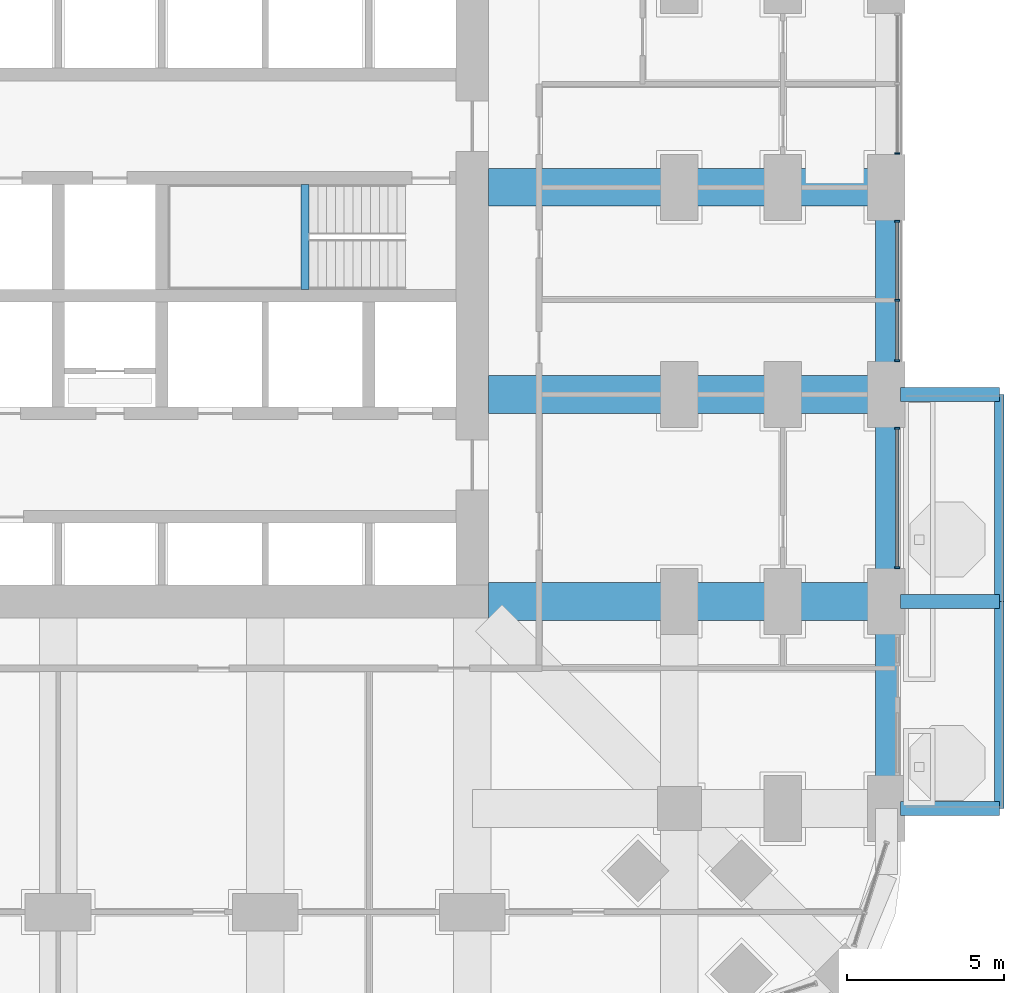
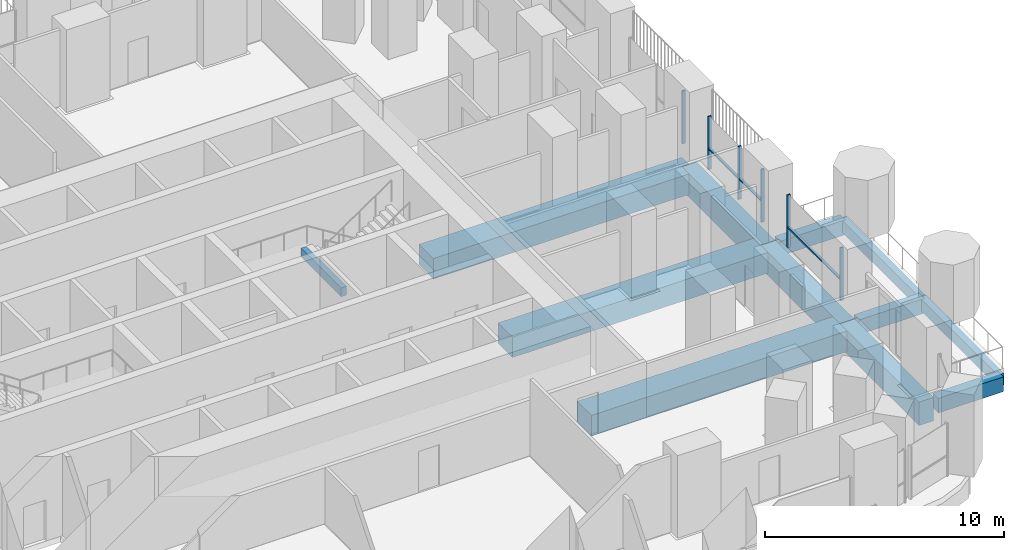
# One storey, part 6 of 27: 12 beams, 9 members, 3 elements without a shape of their own.
"""IFC4 building model written with IfcOpenShell, lengths in metres."""

from ifc_helpers import new_model, si_unit, direction, frame, origin, origin_2d, place, context, subcontext, project, spatial, rectangle, extrude, material, material_profile, profile_set, type_object, element, aggregate, save


model = new_model("IFC4")

# Units and contexts
model_context = context("Model", 3, precision=1e-05, world=origin(), true_north=direction((0.0, 1.0)))
body_context = subcontext(model_context, "Body", "Model", "MODEL_VIEW")
ifc_project = project(units=[si_unit("LENGTHUNIT", "METRE"), si_unit("AREAUNIT", "SQUARE_METRE"), si_unit("VOLUMEUNIT", "CUBIC_METRE"), si_unit("PLANEANGLEUNIT", "RADIAN"), si_unit("MASSUNIT", "GRAM", prefix="KILO")], contexts=[model_context])

# Site, building, storey
site_placement = place(None, origin())
site = spatial("IfcSite", under=ifc_project, at=site_placement, CompositionType="ELEMENT")
building_placement = place(site_placement, origin())
building = spatial("IfcBuilding", under=site, at=building_placement, Name="Cobogo Forest Laboratory Tower", CompositionType="ELEMENT")
storey_placement = place(building_placement, frame((0.0, 0.0, 29.699951171875)))
storey = spatial("IfcBuildingStorey", under=building, at=storey_placement, Name="L06", CompositionType="ELEMENT", Elevation=29.699951171875)

# Beams
ifc_material_1 = material(Name="Concrete HA-40 (C40/50)", Category="concrete")
ifc_material_profile_1 = material_profile(ifc_material_1, rectangle(XDim=0.449951171875, YDim=0.75, at=origin_2d()), Name="RC 450x750")
ifc_profile_set_1 = profile_set([ifc_material_profile_1], Name="Concrete HA-40 (C40/50)")
beam_type_1 = type_object("IfcBeamType", Name="Balcony cantilever beam 450x750", PredefinedType="BEAM", material=ifc_profile_set_1)
for number, where, z_axis, x_axis, name in (
    (1, (53.25, 6.60009765625, -0.625), (1.0, 0.0, 0.0), (0.0, 1.0, 0.0), "CB1 BAL-E1-C1 L06"),
    (2, (53.25, 13.199951171875, -0.625), (1.0, 0.0, 0.0), (0.0, 1.0, 0.0), "CB1 BAL-E1-C2 L06"),
    (3, (53.25, 19.800048828125, -0.625), (1.0, 0.0, 0.0), (0.0, 1.0, 0.0), "CB1 BAL-E1-C3 L06"),
):
    element("IfcBeam", number, at=place(storey_placement, frame(where, z_axis=z_axis, x_axis=x_axis)), inside=storey, type_object=beam_type_1, Name=name, PredefinedType="BEAM", context=body_context, shape_type="SweptSolid", body=[
        extrude(rectangle(XDim=0.449951171875, YDim=0.75, at=origin_2d()), origin(), (0.0, 0.0, 1.0), 3.14990234375),
    ])
ifc_material_profile_2 = material_profile(ifc_material_1, rectangle(XDim=0.300048828125, YDim=0.60009765625, at=origin_2d()), Name="RC 300x600")
ifc_profile_set_2 = profile_set([ifc_material_profile_2], Name="Concrete HA-40 (C40/50)")
beam_type_2 = type_object("IfcBeamType", Name="Balcony edge beam 300x600", PredefinedType="BEAM", material=ifc_profile_set_2)
beam_1_placement = place(storey_placement, frame((56.39990234375, 6.60009765625, -0.550048828125), z_axis=(0.0, 1.0, 0.0), x_axis=(-1.0, 0.0, 0.0)))
element("IfcBeam", 4, at=beam_1_placement, inside=storey, type_object=beam_type_2, Name="BB1 BAL-E1-T1 L06", PredefinedType="BEAM", context=body_context, shape_type="SweptSolid", body=[
    extrude(rectangle(XDim=0.300048828125, YDim=0.60009765625, at=origin_2d()), origin(), (0.0, 0.0, 1.0), 6.599853515625),
])
beam_2_placement = place(storey_placement, frame((56.39990234375, 13.199951171875, -0.550048828125), z_axis=(0.0, 1.0, 0.0), x_axis=(-1.0, 0.0, 0.0)))
element("IfcBeam", 5, at=beam_2_placement, inside=storey, type_object=beam_type_2, Name="BB1 BAL-E1-T2 L06", PredefinedType="BEAM", context=body_context, shape_type="SweptSolid", body=[
    extrude(rectangle(XDim=0.300048828125, YDim=0.60009765625, at=origin_2d()), origin(), (0.0, 0.0, 1.0), 6.60009765625),
])
ifc_material_profile_3 = material_profile(ifc_material_1, rectangle(XDim=0.25, YDim=0.449951171875, at=origin_2d()), Name="RC 250x450")
ifc_profile_set_3 = profile_set([ifc_material_profile_3], Name="Concrete HA-40 (C40/50)")
beam_type_3 = type_object("IfcBeamType", Name="LB1 landing beam 250x450", PredefinedType="BEAM", material=ifc_profile_set_3)
beam_3_placement = place(storey_placement, frame((34.27001953125, 23.14990234375, 1.675048828125), z_axis=(0.0, 1.0, 0.0), x_axis=(-1.0, 0.0, 0.0)))
element("IfcBeam", 6, at=beam_3_placement, inside=storey, type_object=beam_type_3, Name="Landing beam ST2 L06", PredefinedType="BEAM", context=body_context, shape_type="SweptSolid", body=[
    extrude(rectangle(XDim=0.25, YDim=0.449951171875, at=origin_2d()), origin(), (0.0, 0.0, 1.0), 3.35009765625),
])
ifc_material_profile_4 = material_profile(ifc_material_1, rectangle(XDim=1.199951171875, YDim=1.050048828125, at=origin_2d()), Name="RC 1200x1050")
ifc_profile_set_4 = profile_set([ifc_material_profile_4], Name="Concrete HA-40 (C40/50)")
beam_type_4 = type_object("IfcBeamType", Name="Laboratory floor wide beam 1200x1050", PredefinedType="BEAM", material=ifc_profile_set_4)
for number, where, z_axis, x_axis, name in (
    (7, (40.125, 13.199951171875, -0.824951171875), (1.0, 0.0, 0.0), (0.0, 1.0, 0.0), "RB1 R-C-E L06"),
    (8, (40.125, 19.800048828125, -0.824951171875), (1.0, 0.0, 0.0), (0.0, 1.0, 0.0), "RB1 R-D-E L06"),
    (9, (40.125, 26.39990234375, -0.824951171875), (1.0, 0.0, 0.0), (0.0, 1.0, 0.0), "RB1 R-E-E L06"),
):
    element("IfcBeam", number, at=place(storey_placement, frame(where, z_axis=z_axis, x_axis=x_axis)), inside=storey, type_object=beam_type_4, Name=name, PredefinedType="BEAM", context=body_context, shape_type="SweptSolid", body=[
        extrude(rectangle(XDim=1.199951171875, YDim=1.050048828125, at=origin_2d()), origin(), (0.0, 0.0, 1.0), 12.675048828125),
    ])

# Curtain wall, members
ifc_material_2 = material(Name="Aluminium curtain wall", Category="aluminium")
curtain_wall_type = type_object("IfcCurtainWallType", Name="CW-1 unitised curtain wall, clear glazing, laboratory floors zones A and B", PredefinedType="USERDEFINED", material=ifc_material_2)
curtain_wall_1_placement = place(storey_placement, origin())
curtain_wall_1 = element("IfcCurtainWall", 10, at=curtain_wall_1_placement, inside=storey, type_object=curtain_wall_type, Name="Curtain wall 11 L06", ObjectType="UNITISED CURTAIN WALL", PredefinedType="USERDEFINED")
ifc_material_3 = material(Name="Aluminium mullion", Category="aluminium")
ifc_material_profile_5 = material_profile(ifc_material_3, rectangle(XDim=0.06005859375, YDim=0.159912109375, at=origin_2d()), Name="AL 60x160")
ifc_profile_set_5 = profile_set([ifc_material_profile_5], Name="Aluminium mullion")
member_type_1 = type_object("IfcMemberType", Name="MU-1 aluminium mullion 60x160", PredefinedType="MULLION", material=ifc_profile_set_5)
member_1_placement = place(storey_placement, frame((53.14990234375, 14.280029296875, 0.0), z_axis=(0.0, 0.0, 1.0), x_axis=(0.0, 1.0, 0.0)))
member_1 = element("IfcMember", 11, at=member_1_placement, type_object=member_type_1, Name="CW-1 mullion 1", PredefinedType="MULLION", context=body_context, shape_type="SweptSolid", body=[
    extrude(rectangle(XDim=0.06005859375, YDim=0.159912109375, at=origin_2d()), origin(), (0.0, 0.0, 1.0), 2.699951171875),
])
member_2_placement = place(storey_placement, frame((53.14990234375, 18.719970703125, 0.0), z_axis=(0.0, 0.0, 1.0), x_axis=(0.0, 1.0, 0.0)))
member_2 = element("IfcMember", 12, at=member_2_placement, type_object=member_type_1, Name="CW-1 mullion 2", PredefinedType="MULLION", context=body_context, shape_type="SweptSolid", body=[
    extrude(rectangle(XDim=0.06005859375, YDim=0.159912109375, at=origin_2d()), origin(), (0.0, 0.0, 1.0), 2.699951171875),
])

curtain_wall_2_placement = place(storey_placement, origin())
curtain_wall_2 = element("IfcCurtainWall", 13, at=curtain_wall_2_placement, inside=storey, type_object=curtain_wall_type, Name="Curtain wall 12 L06", ObjectType="UNITISED CURTAIN WALL", PredefinedType="USERDEFINED")
member_3_placement = place(storey_placement, frame((53.14990234375, 20.8798828125, 0.0), z_axis=(0.0, 0.0, 1.0), x_axis=(0.0, 1.0, 0.0)))
member_3 = element("IfcMember", 14, at=member_3_placement, type_object=member_type_1, Name="CW-1 mullion 1", PredefinedType="MULLION", context=body_context, shape_type="SweptSolid", body=[
    extrude(rectangle(XDim=0.06005859375, YDim=0.159912109375, at=origin_2d()), origin(), (0.0, 0.0, 1.0), 2.699951171875),
])
member_4_placement = place(storey_placement, frame((53.14990234375, 22.800048828125, 0.0), z_axis=(0.0, 0.0, 1.0), x_axis=(0.0, 1.0, 0.0)))
member_4 = element("IfcMember", 15, at=member_4_placement, type_object=member_type_1, Name="CW-1 mullion 2", PredefinedType="MULLION", context=body_context, shape_type="SweptSolid", body=[
    extrude(rectangle(XDim=0.06005859375, YDim=0.159912109375, at=origin_2d()), origin(), (0.0, 0.0, 1.0), 2.699951171875),
])
member_5_placement = place(storey_placement, frame((53.14990234375, 25.320068359375, 0.0), z_axis=(0.0, 0.0, 1.0), x_axis=(0.0, 1.0, 0.0)))
member_5 = element("IfcMember", 16, at=member_5_placement, type_object=member_type_1, Name="CW-1 mullion 3", PredefinedType="MULLION", context=body_context, shape_type="SweptSolid", body=[
    extrude(rectangle(XDim=0.06005859375, YDim=0.159912109375, at=origin_2d()), origin(), (0.0, 0.0, 1.0), 2.699951171875),
])

# Curtain wall, member
curtain_wall_3_placement = place(storey_placement, origin())
curtain_wall_3 = element("IfcCurtainWall", 17, at=curtain_wall_3_placement, inside=storey, type_object=curtain_wall_type, Name="Curtain wall 13 L06", ObjectType="UNITISED CURTAIN WALL", PredefinedType="USERDEFINED")
member_6_placement = place(storey_placement, frame((53.14990234375, 27.47998046875, 0.0), z_axis=(0.0, 0.0, 1.0), x_axis=(0.0, 1.0, 0.0)))
member_6 = element("IfcMember", 18, at=member_6_placement, type_object=member_type_1, Name="CW-1 mullion 1", PredefinedType="MULLION", context=body_context, shape_type="SweptSolid", body=[
    extrude(rectangle(XDim=0.06005859375, YDim=0.159912109375, at=origin_2d()), origin(), (0.0, 0.0, 1.0), 2.699951171875),
])
aggregate(curtain_wall_3, [member_6])

# Beams
ifc_material_profile_6 = material_profile(ifc_material_1, rectangle(XDim=0.699951171875, YDim=1.199951171875, at=origin_2d()), Name="RC 700x1200")
ifc_profile_set_6 = profile_set([ifc_material_profile_6], Name="Concrete HA-40 (C40/50)")
beam_type_5 = type_object("IfcBeamType", Name="Perimeter edge beam 700x1200", PredefinedType="BEAM", material=ifc_profile_set_6)
beam_4_placement = place(storey_placement, frame((52.800048828125, 6.60009765625, -0.89990234375), z_axis=(0.0, 1.0, 0.0), x_axis=(-1.0, 0.0, 0.0)))
element("IfcBeam", 19, at=beam_4_placement, inside=storey, type_object=beam_type_5, Name="EB1 E-E1 L06", PredefinedType="BEAM", context=body_context, shape_type="SweptSolid", body=[
    extrude(rectangle(XDim=0.699951171875, YDim=1.199951171875, at=origin_2d()), origin(), (0.0, 0.0, 1.0), 6.599853515625),
])
beam_5_placement = place(storey_placement, frame((52.800048828125, 13.199951171875, -0.89990234375), z_axis=(0.0, 1.0, 0.0), x_axis=(-1.0, 0.0, 0.0)))
element("IfcBeam", 20, at=beam_5_placement, inside=storey, type_object=beam_type_5, Name="EB1 E-E2 L06", PredefinedType="BEAM", context=body_context, shape_type="SweptSolid", body=[
    extrude(rectangle(XDim=0.699951171875, YDim=1.199951171875, at=origin_2d()), origin(), (0.0, 0.0, 1.0), 6.60009765625),
])
beam_6_placement = place(storey_placement, frame((52.800048828125, 19.800048828125, -0.89990234375), z_axis=(0.0, 1.0, 0.0), x_axis=(-1.0, 0.0, 0.0)))
element("IfcBeam", 21, at=beam_6_placement, inside=storey, type_object=beam_type_5, Name="EB1 E-E3 L06", PredefinedType="BEAM", context=body_context, shape_type="SweptSolid", body=[
    extrude(rectangle(XDim=0.699951171875, YDim=1.199951171875, at=origin_2d()), origin(), (0.0, 0.0, 1.0), 6.599853515625),
])

# Member
ifc_material_4 = material(Name="Aluminium transom", Category="aluminium")
ifc_material_profile_7 = material_profile(ifc_material_4, rectangle(XDim=0.1201171875, YDim=0.06005859375, at=origin_2d()), Name="AL 60x120")
ifc_profile_set_7 = profile_set([ifc_material_profile_7], Name="Aluminium transom")
member_type_2 = type_object("IfcMemberType", Name="TR-1 aluminium transom 60x120", PredefinedType="USERDEFINED", material=ifc_profile_set_7)
member_7_placement = place(storey_placement, frame((53.14990234375, 14.31005859375, 1.050048828125), z_axis=(0.0, 1.0, 0.0), x_axis=(-1.0, 0.0, 0.0)))
member_7 = element("IfcMember", 22, at=member_7_placement, type_object=member_type_2, Name="CW-1 transom 1.1", ObjectType="TRANSOM", PredefinedType="USERDEFINED", context=body_context, shape_type="SweptSolid", body=[
    extrude(rectangle(XDim=0.1201171875, YDim=0.06005859375, at=origin_2d()), origin(), (0.0, 0.0, 1.0), 4.3798828125),
])

aggregate(curtain_wall_1, [member_1, member_2, member_7])

member_8_placement = place(storey_placement, frame((53.14990234375, 20.909912109375, 1.050048828125), z_axis=(0.0, 1.0, 0.0), x_axis=(-1.0, 0.0, 0.0)))
member_8 = element("IfcMember", 23, at=member_8_placement, type_object=member_type_2, Name="CW-1 transom 1.1", ObjectType="TRANSOM", PredefinedType="USERDEFINED", context=body_context, shape_type="SweptSolid", body=[
    extrude(rectangle(XDim=0.1201171875, YDim=0.06005859375, at=origin_2d()), origin(), (0.0, 0.0, 1.0), 1.860107421875),
])

member_9_placement = place(storey_placement, frame((53.14990234375, 22.830078125, 1.050048828125), z_axis=(0.0, 1.0, 0.0), x_axis=(-1.0, 0.0, 0.0)))
member_9 = element("IfcMember", 24, at=member_9_placement, type_object=member_type_2, Name="CW-1 transom 2.1", ObjectType="TRANSOM", PredefinedType="USERDEFINED", context=body_context, shape_type="SweptSolid", body=[
    extrude(rectangle(XDim=0.1201171875, YDim=0.06005859375, at=origin_2d()), origin(), (0.0, 0.0, 1.0), 2.4599609375),
])

aggregate(curtain_wall_2, [member_3, member_4, member_5, member_8, member_9])

save(model, "model.ifc")
